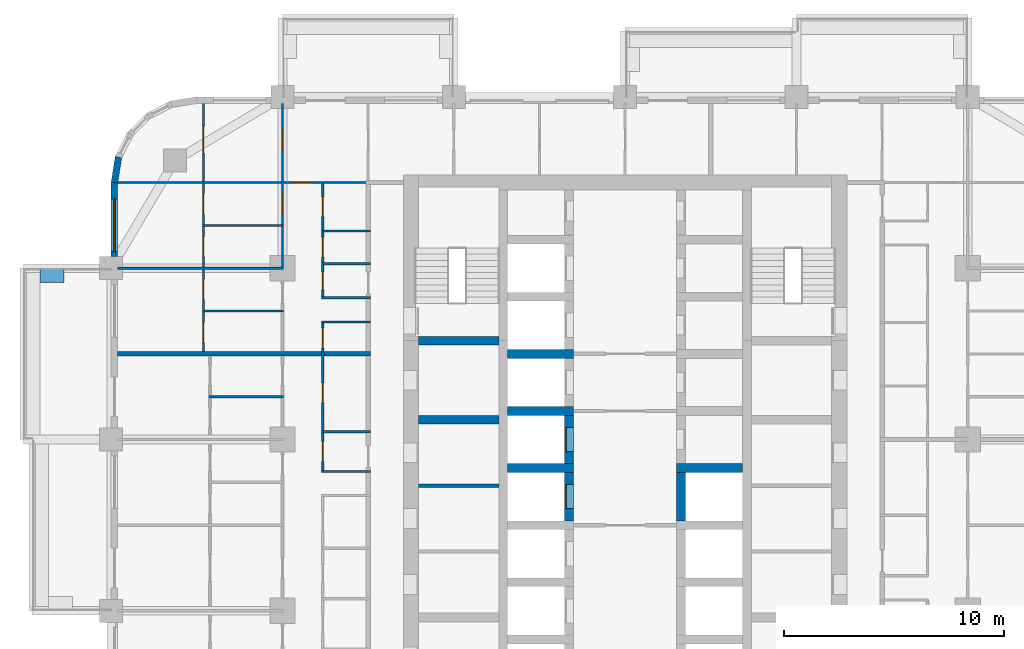
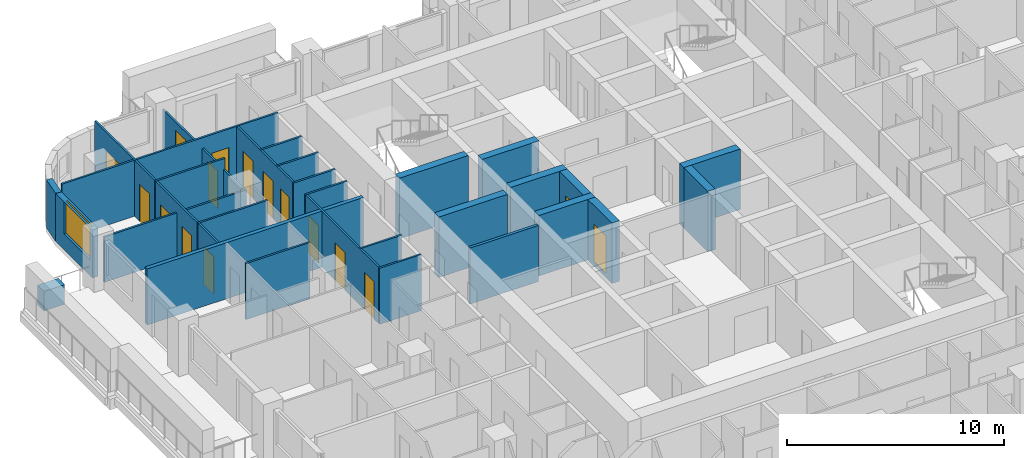
# One storey, part 10 of 18: 29 walls, 16 doors, 1 window, 17 openings.
"""IFC4 building model written with IfcOpenShell, lengths in metres."""

from ifc_helpers import new_model, si_unit, direction, frame, frame_2d, origin, place, context, subcontext, project, spatial, rectangle, extrude, material, layer, layer_set, type_object, element, fill, save


model = new_model("IFC4")

# Units and contexts
model_context = context("Model", 3, precision=1e-05, world=origin(), true_north=direction((0.0, 1.0)))
body_context = subcontext(model_context, "Body", "Model", "MODEL_VIEW")
ifc_project = project(units=[si_unit("LENGTHUNIT", "METRE"), si_unit("AREAUNIT", "SQUARE_METRE"), si_unit("VOLUMEUNIT", "CUBIC_METRE"), si_unit("PLANEANGLEUNIT", "RADIAN"), si_unit("MASSUNIT", "GRAM", prefix="KILO")], contexts=[model_context])

# Site, building, storey
site_placement = place(None, origin())
site = spatial("IfcSite", under=ifc_project, at=site_placement, CompositionType="ELEMENT")
building_placement = place(site_placement, origin())
building = spatial("IfcBuilding", under=site, at=building_placement, Name="Ludao Terraces", CompositionType="ELEMENT")
storey_placement = place(building_placement, frame((0.0, 0.0, 33.10009765625)))
storey = spatial("IfcBuildingStorey", under=building, at=storey_placement, Name="L08", CompositionType="ELEMENT", Elevation=33.10009765625)

# Wall
ifc_material_1 = material(Name="Concrete C40", Category="concrete")
ifc_layer_1 = layer(ifc_material_1, 0.60009765625)
ifc_layer_set_1 = layer_set([ifc_layer_1], Name="ENV Planter trough 600")
wall_type_1 = type_object("IfcWallType", Name="ENV Planter trough 600", PredefinedType="USERDEFINED", material=ifc_layer_set_1)
wall_1_placement = place(storey_placement, frame((58.35009765625, 80.25, 0.0), z_axis=(0.0, 0.0, 1.0), x_axis=(1.0, 0.0, 0.0)))
element("IfcWall", 1, at=wall_1_placement, inside=storey, type_object=wall_type_1, Name="PL-L08-W4-SB", ObjectType="PLANTER", PredefinedType="USERDEFINED", context=body_context, shape_type="SweptSolid", body=[
    extrude(rectangle(XDim=1.099853515625, YDim=0.60009765625, at=frame_2d((0.5498046875, 0.0))), origin(), (0.0, 0.0, 1.0), 1.099853515625),
])

# Wall, opening, window
ifc_material_2 = material(Name="Granite cladding", Category="masonry")
ifc_layer_2 = layer(ifc_material_2, 0.0400390625, Category="stone")
ifc_material_3 = material(Name="Mineral wool")
ifc_layer_3 = layer(ifc_material_3, 0.06005859375)
ifc_layer_4 = layer(ifc_material_1, 0.199951171875, Category="concrete")
ifc_layer_set_2 = layer_set([ifc_layer_2, ifc_layer_3, ifc_layer_4], Name="ENV Stone-clad wall 300")
wall_type_2 = type_object("IfcWallType", Name="ENV Stone-clad wall 300", PredefinedType="SOLIDWALL", material=ifc_layer_set_2)
wall_2_placement = place(storey_placement, frame((61.75, 81.125, 0.0), z_axis=(0.0, 0.0, 1.0), x_axis=(0.0, 1.0, 0.0)))
wall_2 = element("IfcWall", 2, at=wall_2_placement, inside=storey, type_object=wall_type_2, Name="EW-L08-W6", PredefinedType="SOLIDWALL", context=body_context, shape_type="SweptSolid", body=[
    extrude(rectangle(XDim=3.375, YDim=0.300048828125, at=frame_2d((1.6875, 0.0))), origin(), (0.0, 0.0, 1.0), 2.699951171875),
])
opening_1_placement = place(wall_2_placement, frame((0.22509765625, 0.0, 0.89990234375)))
opening_1 = element("IfcOpeningElement", 3, at=opening_1_placement, cuts=wall_2, Name="Opening W1", PredefinedType="OPENING", context=body_context, shape_type="SweptSolid", body=[
    extrude(rectangle(XDim=2.39990234375, YDim=1.800048828125, at=frame_2d((1.199951171875, 0.89990234375))), frame((0.0, 0.16015625, 0.0), z_axis=(0.0, -1.0, 0.0), x_axis=(1.0, 0.0, 0.0)), (0.0, 0.0, 1.0), 0.320068359375),
])
ifc_material_4 = material(Name="Clear glass in aluminium frame", Category="aluminium")
ifc_layer_5 = layer(ifc_material_4, 0.06005859375)
ifc_layer_set_3 = layer_set([ifc_layer_5], Name="ENV Window W1 2400x1800")
window_type = type_object("IfcWindowType", Name="ENV Window W1 2400x1800", PartitioningType="DOUBLE_PANEL_VERTICAL", PredefinedType="WINDOW", material=ifc_layer_set_3)
window_placement = place(opening_1_placement, origin())
window = element("IfcWindow", 4, at=window_placement, inside=storey, type_object=window_type, Name="W-L08-W6-1", OverallHeight=1.800048828125, OverallWidth=2.39990234375, PartitioningType="DOUBLE_PANEL_VERTICAL", PredefinedType="WINDOW", context=body_context, shape_type="SweptSolid", body=[
    extrude(rectangle(XDim=2.39990234375, YDim=1.800048828125, at=frame_2d((1.199951171875, 0.89990234375))), frame((0.0, 0.030029296875, 0.0), z_axis=(0.0, -1.0, 0.0), x_axis=(1.0, 0.0, 0.0)), (0.0, 0.0, 1.0), 0.06005859375),
])
fill(opening_1, window)

# Walls
wall_3_placement = place(storey_placement, frame((61.93359375, 85.65869140625, 0.0), z_axis=(0.0, 0.0, 1.0), x_axis=(-0.156496880861, -0.987678452879, 0.0)))
element("IfcWall", 5, at=wall_3_placement, inside=storey, type_object=wall_type_2, Name="EW-L08-NW5", PredefinedType="SOLIDWALL", context=body_context, shape_type="SweptSolid", body=[
    extrude(rectangle(XDim=1.173095703125, YDim=0.300048828125, at=frame_2d((0.58642578125, 0.0))), origin(), (0.0, 0.0, 1.0), 2.699951171875),
])
ifc_material_5 = material(Name="Fire-rated gypsum plasterboard", Category="gypsum")
ifc_layer_6 = layer(ifc_material_5, 0.012451171875, Category="gypsum")
ifc_layer_7 = layer(ifc_material_3, 0.10009765625, Name="insulation")
ifc_material_6 = material(Name="Steel Q235", Category="steel")
ifc_layer_8 = layer(ifc_material_6, 0.02490234375, Name="stud")
ifc_layer_9 = layer(ifc_material_5, 0.012451171875, Category="gypsum")
ifc_layer_set_4 = layer_set([ifc_layer_6, ifc_layer_7, ifc_layer_8, ifc_layer_9], Name="INT Core partition 150")
wall_type_3 = type_object("IfcWallType", Name="INT Core partition 150", PredefinedType="PARTITIONING", material=ifc_layer_set_4)
wall_4_placement = place(storey_placement, frame((75.60009765625, 70.699951171875, 0.0), z_axis=(0.0, 0.0, 1.0), x_axis=(1.0, 0.0, 0.0)))
element("IfcWall", 6, at=wall_4_placement, inside=storey, type_object=wall_type_3, Name="PW-L08-PW051", PredefinedType="PARTITIONING", context=body_context, shape_type="SweptSolid", body=[
    extrude(rectangle(XDim=3.64990234375, YDim=0.14990234375, at=frame_2d((1.824951171875, 0.0))), origin(), (0.0, 0.0, 1.0), 3.14990234375),
])
ifc_material_7 = material(Name="Gypsum plasterboard", Category="gypsum")
ifc_layer_10 = layer(ifc_material_7, 0.012451171875, Category="gypsum")
ifc_layer_11 = layer(ifc_material_3, 0.06005859375, Name="insulation")
ifc_layer_12 = layer(ifc_material_6, 0.014892578125, Name="stud")
ifc_layer_13 = layer(ifc_material_7, 0.012451171875, Category="gypsum")
ifc_layer_set_5 = layer_set([ifc_layer_10, ifc_layer_11, ifc_layer_12, ifc_layer_13], Name="INT Partition 100")
wall_type_4 = type_object("IfcWallType", Name="INT Partition 100", PredefinedType="PARTITIONING", material=ifc_layer_set_5)
for number, where, z_axis, x_axis, name in (
    (7, (71.18017578125, 71.35009765625, 0.0), (0.0, 0.0, 1.0), (1.0, 0.0, 0.0), "PW-L08-PW054"),
    (8, (71.18017578125, 73.14990234375, 0.0), (0.0, 0.0, 1.0), (1.0, 0.0, 0.0), "PW-L08-PW057"),
):
    element("IfcWall", number, at=place(storey_placement, frame(where, z_axis=z_axis, x_axis=x_axis)), inside=storey, type_object=wall_type_4, Name=name, PredefinedType="PARTITIONING", context=body_context, shape_type="SweptSolid", body=[
        extrude(rectangle(XDim=2.219970703125, YDim=0.10009765625, at=frame_2d((1.10986328125, 0.0))), origin(), (0.0, 0.0, 1.0), 3.14990234375),
    ])
wall_5_placement = place(storey_placement, frame((66.050048828125, 74.75, 0.0), z_axis=(0.0, 0.0, 1.0), x_axis=(1.0, 0.0, 0.0)))
element("IfcWall", 9, at=wall_5_placement, inside=storey, type_object=wall_type_4, Name="PW-L08-PW059", PredefinedType="PARTITIONING", context=body_context, shape_type="SweptSolid", body=[
    extrude(rectangle(XDim=3.400146484375, YDim=0.10009765625, at=frame_2d((1.7001953125, 0.0))), origin(), (0.0, 0.0, 1.0), 3.14990234375),
])
wall_6_placement = place(storey_placement, frame((71.18017578125, 78.14990234375, 0.0), z_axis=(0.0, 0.0, 1.0), x_axis=(1.0, 0.0, 0.0)))
element("IfcWall", 10, at=wall_6_placement, inside=storey, type_object=wall_type_4, Name="PW-L08-PW066", PredefinedType="PARTITIONING", context=body_context, shape_type="SweptSolid", body=[
    extrude(rectangle(XDim=2.219970703125, YDim=0.10009765625, at=frame_2d((1.10986328125, 0.0))), origin(), (0.0, 0.0, 1.0), 3.14990234375),
])
wall_7_placement = place(storey_placement, frame((65.75, 78.64990234375, 0.0), z_axis=(0.0, 0.0, 1.0), x_axis=(1.0, 0.0, 0.0)))
element("IfcWall", 11, at=wall_7_placement, inside=storey, type_object=wall_type_4, Name="PW-L08-PW067", PredefinedType="PARTITIONING", context=body_context, shape_type="SweptSolid", body=[
    extrude(rectangle(XDim=3.7001953125, YDim=0.10009765625, at=frame_2d((1.85009765625, 0.0))), origin(), (0.0, 0.0, 1.0), 3.14990234375),
])
wall_8_placement = place(storey_placement, frame((71.18017578125, 79.25, 0.0), z_axis=(0.0, 0.0, 1.0), x_axis=(1.0, 0.0, 0.0)))
element("IfcWall", 12, at=wall_8_placement, inside=storey, type_object=wall_type_4, Name="PW-L08-PW069", PredefinedType="PARTITIONING", context=body_context, shape_type="SweptSolid", body=[
    extrude(rectangle(XDim=2.219970703125, YDim=0.10009765625, at=frame_2d((1.10986328125, 0.0))), origin(), (0.0, 0.0, 1.0), 3.14990234375),
])
wall_9_placement = place(storey_placement, frame((61.900146484375, 80.60009765625, 0.0), z_axis=(0.0, 0.0, 1.0), x_axis=(1.0, 0.0, 0.0)))
element("IfcWall", 13, at=wall_9_placement, inside=storey, type_object=wall_type_4, Name="PW-L08-PW070", PredefinedType="PARTITIONING", context=body_context, shape_type="SweptSolid", body=[
    extrude(rectangle(XDim=7.550048828125, YDim=0.10009765625, at=frame_2d((3.77490234375, 0.0))), origin(), (0.0, 0.0, 1.0), 2.5498046875),
])
for number, where, z_axis, x_axis, name in (
    (14, (71.18017578125, 80.800048828125, 0.0), (0.0, 0.0, 1.0), (1.0, 0.0, 0.0), "PW-L08-PW072"),
    (15, (71.18017578125, 82.300048828125, 0.0), (0.0, 0.0, 1.0), (1.0, 0.0, 0.0), "PW-L08-PW074"),
):
    element("IfcWall", number, at=place(storey_placement, frame(where, z_axis=z_axis, x_axis=x_axis)), inside=storey, type_object=wall_type_4, Name=name, PredefinedType="PARTITIONING", context=body_context, shape_type="SweptSolid", body=[
        extrude(rectangle(XDim=2.219970703125, YDim=0.10009765625, at=frame_2d((1.10986328125, 0.0))), origin(), (0.0, 0.0, 1.0), 3.14990234375),
    ])
wall_10_placement = place(storey_placement, frame((65.75, 82.550048828125, 0.0), z_axis=(0.0, 0.0, 1.0), x_axis=(1.0, 0.0, 0.0)))
element("IfcWall", 16, at=wall_10_placement, inside=storey, type_object=wall_type_4, Name="PW-L08-PW075", PredefinedType="PARTITIONING", context=body_context, shape_type="SweptSolid", body=[
    extrude(rectangle(XDim=3.7001953125, YDim=0.10009765625, at=frame_2d((1.85009765625, 0.0))), origin(), (0.0, 0.0, 1.0), 3.14990234375),
])

# Wall, opening, door
wall_11_placement = place(storey_placement, frame((61.900146484375, 84.5, 0.0), z_axis=(0.0, 0.0, 1.0), x_axis=(1.0, 0.0, 0.0)))
wall_11 = element("IfcWall", 17, at=wall_11_placement, inside=storey, type_object=wall_type_4, Name="PW-L08-PW077", PredefinedType="PARTITIONING", context=body_context, shape_type="SweptSolid", body=[
    extrude(rectangle(XDim=11.5, YDim=0.10009765625, at=frame_2d((5.75, 0.0))), origin(), (0.0, 0.0, 1.0), 3.14990234375),
])
opening_2_placement = place(wall_11_placement, frame((7.965087890625, 0.0, 0.0)))
opening_2 = element("IfcOpeningElement", 18, at=opening_2_placement, cuts=wall_11, Name="Opening R02-155", PredefinedType="OPENING", context=body_context, shape_type="SweptSolid", body=[
    extrude(rectangle(XDim=0.89990234375, YDim=2.10009765625, at=frame_2d((0.449951171875, 1.050048828125))), frame((0.0, 0.06005859375, 0.0), z_axis=(0.0, -1.0, 0.0), x_axis=(1.0, 0.0, 0.0)), (0.0, 0.0, 1.0), 0.1201171875),
])
ifc_material_8 = material(Name="Timber door leaf", Category="wood")
door_type_1 = type_object("IfcDoorType", Name="INT Room door 900", OperationType="SINGLE_SWING_LEFT", PredefinedType="DOOR", material=ifc_material_8)
door_1_placement = place(opening_2_placement, origin())
door_1 = element("IfcDoor", 19, at=door_1_placement, inside=storey, type_object=door_type_1, Name="DOOR 155", OperationType="SINGLE_SWING_RIGHT", OverallHeight=2.10009765625, OverallWidth=0.89990234375, PredefinedType="DOOR", context=body_context, shape_type="SweptSolid", body=[
    extrude(rectangle(XDim=0.89990234375, YDim=2.10009765625, at=frame_2d((0.449951171875, 1.050048828125))), frame((0.0, 0.02490234375, 0.0), z_axis=(0.0, -1.0, 0.0), x_axis=(1.0, 0.0, 0.0)), (0.0, 0.0, 1.0), 0.050048828125),
])
fill(opening_2, door_1)

# Wall, openings, doors
wall_12_placement = place(storey_placement, frame((65.800048828125, 76.800048828125, 0.0), z_axis=(0.0, 0.0, 1.0), x_axis=(0.0, 1.0, 0.0)))
wall_12 = element("IfcWall", 20, at=wall_12_placement, inside=storey, type_object=wall_type_4, Name="PW-L08-PW081", PredefinedType="PARTITIONING", context=body_context, shape_type="SweptSolid", body=[
    extrude(rectangle(XDim=11.300048828125, YDim=0.10009765625, at=frame_2d((5.64990234375, 0.0))), origin(), (0.0, 0.0, 1.0), 3.14990234375),
])
opening_3_placement = place(wall_12_placement, frame((0.425048828125, 0.0, 0.0)))
opening_3 = element("IfcOpeningElement", 21, at=opening_3_placement, cuts=wall_12, Name="Opening R02-129", PredefinedType="OPENING", context=body_context, shape_type="SweptSolid", body=[
    extrude(rectangle(XDim=0.89990234375, YDim=2.10009765625, at=frame_2d((0.449951171875, 1.050048828125))), frame((0.0, 0.06005859375, 0.0), z_axis=(0.0, -1.0, 0.0), x_axis=(1.0, 0.0, 0.0)), (0.0, 0.0, 1.0), 0.1201171875),
])
opening_4_placement = place(wall_12_placement, frame((2.375, 0.0, 0.0)))
opening_4 = element("IfcOpeningElement", 22, at=opening_4_placement, cuts=wall_12, Name="Opening R02-137", PredefinedType="OPENING", context=body_context, shape_type="SweptSolid", body=[
    extrude(rectangle(XDim=0.89990234375, YDim=2.10009765625, at=frame_2d((0.449951171875, 1.050048828125))), frame((0.0, 0.06005859375, 0.0), z_axis=(0.0, -1.0, 0.0), x_axis=(1.0, 0.0, 0.0)), (0.0, 0.0, 1.0), 0.1201171875),
])
opening_5_placement = place(wall_12_placement, frame((4.324951171875, 0.0, 0.0)))
opening_5 = element("IfcOpeningElement", 23, at=opening_5_placement, cuts=wall_12, Name="Opening R02-145", PredefinedType="OPENING", context=body_context, shape_type="SweptSolid", body=[
    extrude(rectangle(XDim=0.89990234375, YDim=2.10009765625, at=frame_2d((0.449951171875, 1.050048828125))), frame((0.0, 0.06005859375, 0.0), z_axis=(0.0, -1.0, 0.0), x_axis=(1.0, 0.0, 0.0)), (0.0, 0.0, 1.0), 0.1201171875),
])
opening_6_placement = place(wall_12_placement, frame((6.27490234375, 0.0, 0.0)))
opening_6 = element("IfcOpeningElement", 24, at=opening_6_placement, cuts=wall_12, Name="Opening R02-152", PredefinedType="OPENING", context=body_context, shape_type="SweptSolid", body=[
    extrude(rectangle(XDim=0.89990234375, YDim=2.10009765625, at=frame_2d((0.449951171875, 1.050048828125))), frame((0.0, 0.06005859375, 0.0), z_axis=(0.0, -1.0, 0.0), x_axis=(1.0, 0.0, 0.0)), (0.0, 0.0, 1.0), 0.1201171875),
])
opening_7_placement = place(wall_12_placement, frame((9.050048828125, 0.0, 0.0)))
opening_7 = element("IfcOpeningElement", 25, at=opening_7_placement, cuts=wall_12, Name="Opening R02-157", PredefinedType="OPENING", context=body_context, shape_type="SweptSolid", body=[
    extrude(rectangle(XDim=1.199951171875, YDim=2.10009765625, at=frame_2d((0.60009765625, 1.050048828125))), frame((0.0, 0.06005859375, 0.0), z_axis=(0.0, -1.0, 0.0), x_axis=(1.0, 0.0, 0.0)), (0.0, 0.0, 1.0), 0.1201171875),
])
door_type_2 = type_object("IfcDoorType", Name="INT Bathroom door 900", OperationType="SINGLE_SWING_LEFT", PredefinedType="DOOR", material=ifc_material_8)
door_2_placement = place(opening_3_placement, origin())
door_2 = element("IfcDoor", 26, at=door_2_placement, inside=storey, type_object=door_type_2, Name="DOOR 129", OperationType="SINGLE_SWING_RIGHT", OverallHeight=2.10009765625, OverallWidth=0.89990234375, PredefinedType="DOOR", context=body_context, shape_type="SweptSolid", body=[
    extrude(rectangle(XDim=0.89990234375, YDim=2.10009765625, at=frame_2d((0.449951171875, 1.050048828125))), frame((0.0, 0.02490234375, 0.0), z_axis=(0.0, -1.0, 0.0), x_axis=(1.0, 0.0, 0.0)), (0.0, 0.0, 1.0), 0.050048828125),
])
fill(opening_3, door_2)
door_3_placement = place(opening_5_placement, origin())
door_3 = element("IfcDoor", 27, at=door_3_placement, inside=storey, type_object=door_type_2, Name="DOOR 145", OperationType="SINGLE_SWING_RIGHT", OverallHeight=2.10009765625, OverallWidth=0.89990234375, PredefinedType="DOOR", context=body_context, shape_type="SweptSolid", body=[
    extrude(rectangle(XDim=0.89990234375, YDim=2.10009765625, at=frame_2d((0.449951171875, 1.050048828125))), frame((0.0, 0.02490234375, 0.0), z_axis=(0.0, -1.0, 0.0), x_axis=(1.0, 0.0, 0.0)), (0.0, 0.0, 1.0), 0.050048828125),
])
fill(opening_5, door_3)
door_type_3 = type_object("IfcDoorType", Name="INT Double door 1200", OperationType="DOUBLE_DOOR_SINGLE_SWING", PredefinedType="DOOR", material=ifc_material_8)
door_4_placement = place(opening_7_placement, origin())
door_4 = element("IfcDoor", 28, at=door_4_placement, inside=storey, type_object=door_type_3, Name="DOOR 157", OperationType="DOUBLE_DOOR_SINGLE_SWING", OverallHeight=2.10009765625, OverallWidth=1.199951171875, PredefinedType="DOOR", context=body_context, shape_type="SweptSolid", body=[
    extrude(rectangle(XDim=1.199951171875, YDim=2.10009765625, at=frame_2d((0.60009765625, 1.050048828125))), frame((0.0, 0.02490234375, 0.0), z_axis=(0.0, -1.0, 0.0), x_axis=(1.0, 0.0, 0.0)), (0.0, 0.0, 1.0), 0.050048828125),
])
fill(opening_7, door_4)
door_5_placement = place(opening_4_placement, origin())
door_5 = element("IfcDoor", 29, at=door_5_placement, inside=storey, type_object=door_type_1, Name="DOOR 137", OperationType="SINGLE_SWING_RIGHT", OverallHeight=2.10009765625, OverallWidth=0.89990234375, PredefinedType="DOOR", context=body_context, shape_type="SweptSolid", body=[
    extrude(rectangle(XDim=0.89990234375, YDim=2.10009765625, at=frame_2d((0.449951171875, 1.050048828125))), frame((0.0, 0.02490234375, 0.0), z_axis=(0.0, -1.0, 0.0), x_axis=(1.0, 0.0, 0.0)), (0.0, 0.0, 1.0), 0.050048828125),
])
fill(opening_4, door_5)
door_6_placement = place(opening_6_placement, origin())
door_6 = element("IfcDoor", 30, at=door_6_placement, inside=storey, type_object=door_type_1, Name="DOOR 152", OperationType="SINGLE_SWING_RIGHT", OverallHeight=2.10009765625, OverallWidth=0.89990234375, PredefinedType="DOOR", context=body_context, shape_type="SweptSolid", body=[
    extrude(rectangle(XDim=0.89990234375, YDim=2.10009765625, at=frame_2d((0.449951171875, 1.050048828125))), frame((0.0, 0.02490234375, 0.0), z_axis=(0.0, -1.0, 0.0), x_axis=(1.0, 0.0, 0.0)), (0.0, 0.0, 1.0), 0.050048828125),
])
fill(opening_6, door_6)

wall_13_placement = place(storey_placement, frame((69.39990234375, 80.60009765625, 0.0), z_axis=(0.0, 0.0, 1.0), x_axis=(0.0, 1.0, 0.0)))
wall_13 = element("IfcWall", 31, at=wall_13_placement, inside=storey, type_object=wall_type_4, Name="PW-L08-PW083-3", PredefinedType="PARTITIONING", context=body_context, shape_type="SweptSolid", body=[
    extrude(rectangle(XDim=7.5, YDim=0.10009765625, at=frame_2d((3.75, 0.0))), origin(), (0.0, 0.0, 1.0), 2.5498046875),
])
opening_8_placement = place(wall_13_placement, frame((2.47509765625, 0.0, 0.0)))
opening_8 = element("IfcOpeningElement", 32, at=opening_8_placement, cuts=wall_13, Name="Opening R02-153", PredefinedType="OPENING", context=body_context, shape_type="SweptSolid", body=[
    extrude(rectangle(XDim=0.89990234375, YDim=2.10009765625, at=frame_2d((0.449951171875, 1.050048828125))), frame((0.0, 0.06005859375, 0.0), z_axis=(0.0, -1.0, 0.0), x_axis=(1.0, 0.0, 0.0)), (0.0, 0.0, 1.0), 0.1201171875),
])
opening_9_placement = place(wall_13_placement, frame((5.39990234375, 0.0, 0.0)))
opening_9 = element("IfcOpeningElement", 33, at=opening_9_placement, cuts=wall_13, Name="Opening R02-158", PredefinedType="OPENING", context=body_context, shape_type="SweptSolid", body=[
    extrude(rectangle(XDim=0.89990234375, YDim=2.10009765625, at=frame_2d((0.449951171875, 1.050048828125))), frame((0.0, 0.06005859375, 0.0), z_axis=(0.0, -1.0, 0.0), x_axis=(1.0, 0.0, 0.0)), (0.0, 0.0, 1.0), 0.1201171875),
])
door_7_placement = place(opening_8_placement, origin())
door_7 = element("IfcDoor", 34, at=door_7_placement, inside=storey, type_object=door_type_1, Name="DOOR 153", OperationType="SINGLE_SWING_LEFT", OverallHeight=2.10009765625, OverallWidth=0.89990234375, PredefinedType="DOOR", context=body_context, shape_type="SweptSolid", body=[
    extrude(rectangle(XDim=0.89990234375, YDim=2.10009765625, at=frame_2d((0.449951171875, 1.050048828125))), frame((0.0, 0.02490234375, 0.0), z_axis=(0.0, -1.0, 0.0), x_axis=(1.0, 0.0, 0.0)), (0.0, 0.0, 1.0), 0.050048828125),
])
fill(opening_8, door_7)
door_8_placement = place(opening_9_placement, origin())
door_8 = element("IfcDoor", 35, at=door_8_placement, inside=storey, type_object=door_type_1, Name="DOOR 158", OperationType="SINGLE_SWING_RIGHT", OverallHeight=2.10009765625, OverallWidth=0.89990234375, PredefinedType="DOOR", context=body_context, shape_type="SweptSolid", body=[
    extrude(rectangle(XDim=0.89990234375, YDim=2.10009765625, at=frame_2d((0.449951171875, 1.050048828125))), frame((0.0, 0.02490234375, 0.0), z_axis=(0.0, -1.0, 0.0), x_axis=(1.0, 0.0, 0.0)), (0.0, 0.0, 1.0), 0.050048828125),
])
fill(opening_9, door_8)

wall_14_placement = place(storey_placement, frame((71.22998046875, 71.400146484375, 0.0), z_axis=(0.0, 0.0, 1.0), x_axis=(0.0, 1.0, 0.0)))
wall_14 = element("IfcWall", 36, at=wall_14_placement, inside=storey, type_object=wall_type_4, Name="PW-L08-PW086", PredefinedType="PARTITIONING", context=body_context, shape_type="SweptSolid", body=[
    extrude(rectangle(XDim=6.699951171875, YDim=0.10009765625, at=frame_2d((3.35009765625, 0.0))), origin(), (0.0, 0.0, 1.0), 3.14990234375),
])
opening_10_placement = place(wall_14_placement, frame((0.39990234375, 0.0, 0.0)))
opening_10 = element("IfcOpeningElement", 37, at=opening_10_placement, cuts=wall_14, Name="Opening R02-110", PredefinedType="OPENING", context=body_context, shape_type="SweptSolid", body=[
    extrude(rectangle(XDim=0.89990234375, YDim=2.10009765625, at=frame_2d((0.449951171875, 1.050048828125))), frame((0.0, 0.06005859375, 0.0), z_axis=(0.0, -1.0, 0.0), x_axis=(1.0, 0.0, 0.0)), (0.0, 0.0, 1.0), 0.1201171875),
])
opening_11_placement = place(wall_14_placement, frame((3.074951171875, 0.0, 0.0)))
opening_11 = element("IfcOpeningElement", 38, at=opening_11_placement, cuts=wall_14, Name="Opening R02-117", PredefinedType="OPENING", context=body_context, shape_type="SweptSolid", body=[
    extrude(rectangle(XDim=0.89990234375, YDim=2.10009765625, at=frame_2d((0.449951171875, 1.050048828125))), frame((0.0, 0.06005859375, 0.0), z_axis=(0.0, -1.0, 0.0), x_axis=(1.0, 0.0, 0.0)), (0.0, 0.0, 1.0), 0.1201171875),
])
opening_12_placement = place(wall_14_placement, frame((5.574951171875, 0.0, 0.0)))
opening_12 = element("IfcOpeningElement", 39, at=opening_12_placement, cuts=wall_14, Name="Opening R02-128", PredefinedType="OPENING", context=body_context, shape_type="SweptSolid", body=[
    extrude(rectangle(XDim=0.89990234375, YDim=2.10009765625, at=frame_2d((0.449951171875, 1.050048828125))), frame((0.0, 0.06005859375, 0.0), z_axis=(0.0, -1.0, 0.0), x_axis=(1.0, 0.0, 0.0)), (0.0, 0.0, 1.0), 0.1201171875),
])
door_9_placement = place(opening_10_placement, origin())
door_9 = element("IfcDoor", 40, at=door_9_placement, inside=storey, type_object=door_type_2, Name="DOOR 110", OperationType="SINGLE_SWING_RIGHT", OverallHeight=2.10009765625, OverallWidth=0.89990234375, PredefinedType="DOOR", context=body_context, shape_type="SweptSolid", body=[
    extrude(rectangle(XDim=0.89990234375, YDim=2.10009765625, at=frame_2d((0.449951171875, 1.050048828125))), frame((0.0, 0.02490234375, 0.0), z_axis=(0.0, -1.0, 0.0), x_axis=(1.0, 0.0, 0.0)), (0.0, 0.0, 1.0), 0.050048828125),
])
fill(opening_10, door_9)
door_10_placement = place(opening_12_placement, origin())
door_10 = element("IfcDoor", 41, at=door_10_placement, inside=storey, type_object=door_type_2, Name="DOOR 128", OperationType="SINGLE_SWING_RIGHT", OverallHeight=2.10009765625, OverallWidth=0.89990234375, PredefinedType="DOOR", context=body_context, shape_type="SweptSolid", body=[
    extrude(rectangle(XDim=0.89990234375, YDim=2.10009765625, at=frame_2d((0.449951171875, 1.050048828125))), frame((0.0, 0.02490234375, 0.0), z_axis=(0.0, -1.0, 0.0), x_axis=(1.0, 0.0, 0.0)), (0.0, 0.0, 1.0), 0.050048828125),
])
fill(opening_12, door_10)
door_11_placement = place(opening_11_placement, origin())
door_11 = element("IfcDoor", 42, at=door_11_placement, inside=storey, type_object=door_type_1, Name="DOOR 117", OperationType="SINGLE_SWING_RIGHT", OverallHeight=2.10009765625, OverallWidth=0.89990234375, PredefinedType="DOOR", context=body_context, shape_type="SweptSolid", body=[
    extrude(rectangle(XDim=0.89990234375, YDim=2.10009765625, at=frame_2d((0.449951171875, 1.050048828125))), frame((0.0, 0.02490234375, 0.0), z_axis=(0.0, -1.0, 0.0), x_axis=(1.0, 0.0, 0.0)), (0.0, 0.0, 1.0), 0.050048828125),
])
fill(opening_11, door_11)

wall_15_placement = place(storey_placement, frame((71.22998046875, 79.300048828125, 0.0), z_axis=(0.0, 0.0, 1.0), x_axis=(0.0, 1.0, 0.0)))
wall_15 = element("IfcWall", 43, at=wall_15_placement, inside=storey, type_object=wall_type_4, Name="PW-L08-PW087", PredefinedType="PARTITIONING", context=body_context, shape_type="SweptSolid", body=[
    extrude(rectangle(XDim=5.150146484375, YDim=0.10009765625, at=frame_2d((2.5751953125, 0.0))), origin(), (0.0, 0.0, 1.0), 3.14990234375),
])
opening_13_placement = place(wall_15_placement, frame((0.324951171875, 0.0, 0.0)))
opening_13 = element("IfcOpeningElement", 44, at=opening_13_placement, cuts=wall_15, Name="Opening R02-141", PredefinedType="OPENING", context=body_context, shape_type="SweptSolid", body=[
    extrude(rectangle(XDim=0.800048828125, YDim=2.10009765625, at=frame_2d((0.39990234375, 1.050048828125))), frame((0.0, 0.06005859375, 0.0), z_axis=(0.0, -1.0, 0.0), x_axis=(1.0, 0.0, 0.0)), (0.0, 0.0, 1.0), 0.1201171875),
])
opening_14_placement = place(wall_15_placement, frame((1.800048828125, 0.0, 0.0)))
opening_14 = element("IfcOpeningElement", 45, at=opening_14_placement, cuts=wall_15, Name="Opening R02-144", PredefinedType="OPENING", context=body_context, shape_type="SweptSolid", body=[
    extrude(rectangle(XDim=0.89990234375, YDim=2.10009765625, at=frame_2d((0.449951171875, 1.050048828125))), frame((0.0, 0.06005859375, 0.0), z_axis=(0.0, -1.0, 0.0), x_axis=(1.0, 0.0, 0.0)), (0.0, 0.0, 1.0), 0.1201171875),
])
opening_15_placement = place(wall_15_placement, frame((3.64990234375, 0.0, 0.0)))
opening_15 = element("IfcOpeningElement", 46, at=opening_15_placement, cuts=wall_15, Name="Opening R02-150", PredefinedType="OPENING", context=body_context, shape_type="SweptSolid", body=[
    extrude(rectangle(XDim=0.89990234375, YDim=2.10009765625, at=frame_2d((0.449951171875, 1.050048828125))), frame((0.0, 0.06005859375, 0.0), z_axis=(0.0, -1.0, 0.0), x_axis=(1.0, 0.0, 0.0)), (0.0, 0.0, 1.0), 0.1201171875),
])
door_12_placement = place(opening_14_placement, origin())
door_12 = element("IfcDoor", 47, at=door_12_placement, inside=storey, type_object=door_type_2, Name="DOOR 144", OperationType="SINGLE_SWING_RIGHT", OverallHeight=2.10009765625, OverallWidth=0.89990234375, PredefinedType="DOOR", context=body_context, shape_type="SweptSolid", body=[
    extrude(rectangle(XDim=0.89990234375, YDim=2.10009765625, at=frame_2d((0.449951171875, 1.050048828125))), frame((0.0, 0.02490234375, 0.0), z_axis=(0.0, -1.0, 0.0), x_axis=(1.0, 0.0, 0.0)), (0.0, 0.0, 1.0), 0.050048828125),
])
fill(opening_14, door_12)
door_13_placement = place(opening_15_placement, origin())
door_13 = element("IfcDoor", 48, at=door_13_placement, inside=storey, type_object=door_type_1, Name="DOOR 150", OperationType="SINGLE_SWING_RIGHT", OverallHeight=2.10009765625, OverallWidth=0.89990234375, PredefinedType="DOOR", context=body_context, shape_type="SweptSolid", body=[
    extrude(rectangle(XDim=0.89990234375, YDim=2.10009765625, at=frame_2d((0.449951171875, 1.050048828125))), frame((0.0, 0.02490234375, 0.0), z_axis=(0.0, -1.0, 0.0), x_axis=(1.0, 0.0, 0.0)), (0.0, 0.0, 1.0), 0.050048828125),
])
fill(opening_15, door_13)
door_type_4 = type_object("IfcDoorType", Name="INT Store door 800", OperationType="SINGLE_SWING_LEFT", PredefinedType="DOOR", material=ifc_material_8)
door_14_placement = place(opening_13_placement, origin())
door_14 = element("IfcDoor", 49, at=door_14_placement, inside=storey, type_object=door_type_4, Name="DOOR 141", OperationType="SINGLE_SWING_LEFT", OverallHeight=2.10009765625, OverallWidth=0.800048828125, PredefinedType="DOOR", context=body_context, shape_type="SweptSolid", body=[
    extrude(rectangle(XDim=0.800048828125, YDim=2.10009765625, at=frame_2d((0.39990234375, 1.050048828125))), frame((0.0, 0.02490234375, 0.0), z_axis=(0.0, -1.0, 0.0), x_axis=(1.0, 0.0, 0.0)), (0.0, 0.0, 1.0), 0.050048828125),
])
fill(opening_13, door_14)

# Wall
ifc_material_9 = material(Name="Autoclaved aerated concrete block B06 A3.5", Category="concrete")
ifc_layer_14 = layer(ifc_material_9, 0.199951171875)
ifc_layer_set_6 = layer_set([ifc_layer_14], Name="INT Party wall 200")
wall_type_5 = type_object("IfcWallType", Name="INT Party wall 200", PredefinedType="PARTITIONING", material=ifc_layer_set_6)
wall_16_placement = place(storey_placement, frame((61.900146484375, 76.699951171875, 0.0), z_axis=(0.0, 0.0, 1.0), x_axis=(1.0, 0.0, 0.0)))
element("IfcWall", 50, at=wall_16_placement, inside=storey, type_object=wall_type_5, Name="PW-L08-PW062", PredefinedType="PARTITIONING", context=body_context, shape_type="SweptSolid", body=[
    extrude(rectangle(XDim=11.5, YDim=0.199951171875, at=frame_2d((5.75, 0.0))), origin(), (0.0, 0.0, 1.0), 3.14990234375),
])

# Wall, opening, door
ifc_material_10 = material(Name="Concrete C60", Category="concrete")
ifc_layer_15 = layer(ifc_material_10, 0.39990234375)
ifc_layer_set_7 = layer_set([ifc_layer_15], Name="Shaft wall 400 C60")
wall_type_6 = type_object("IfcWallType", Name="Shaft wall 400 C60", PredefinedType="SOLIDWALL", material=ifc_layer_set_7)
wall_17_placement = place(storey_placement, frame((82.449951171875, 69.10009765625, -0.25), z_axis=(0.0, 0.0, 1.0), x_axis=(0.0, 1.0, 0.0)))
wall_17 = element("IfcWall", 51, at=wall_17_placement, inside=storey, type_object=wall_type_6, Name="Core wall L08 front-W4", PredefinedType="SOLIDWALL", context=body_context, shape_type="SweptSolid", body=[
    extrude(rectangle(XDim=2.199951171875, YDim=0.39990234375, at=frame_2d((1.10009765625, 0.0))), origin(), (0.0, 0.0, 1.0), 3.39990234375),
])
opening_16_placement = place(wall_17_placement, frame((0.550048828125, 0.0, 0.25)))
opening_16 = element("IfcOpeningElement", 52, at=opening_16_placement, cuts=wall_17, Name="Opening LD-LA4", PredefinedType="OPENING", context=body_context, shape_type="SweptSolid", body=[
    extrude(rectangle(XDim=1.10009765625, YDim=2.10009765625, at=frame_2d((0.550048828125, 1.050048828125))), frame((0.0, 0.2099609375, 0.0), z_axis=(0.0, -1.0, 0.0), x_axis=(1.0, 0.0, 0.0)), (0.0, 0.0, 1.0), 0.419921875),
])
ifc_material_11 = material(Name="Stainless steel 304", Category="steel")
door_type_5 = type_object("IfcDoorType", Name="INT Lift landing door 1100", OperationType="SLIDING_TO_LEFT", PredefinedType="DOOR", material=ifc_material_11)
door_15_placement = place(opening_16_placement, origin())
door_15 = element("IfcDoor", 53, at=door_15_placement, inside=storey, type_object=door_type_5, Name="LANDING DOOR LA4 L08", OperationType="SLIDING_TO_LEFT", OverallHeight=2.10009765625, OverallWidth=1.10009765625, PredefinedType="DOOR", context=body_context, shape_type="SweptSolid", body=[
    extrude(rectangle(XDim=1.10009765625, YDim=2.10009765625, at=frame_2d((0.550048828125, 1.050048828125))), frame((0.0, 0.18505859375, 0.0), z_axis=(0.0, -1.0, 0.0), x_axis=(1.0, 0.0, 0.0)), (0.0, 0.0, 1.0), 0.050048828125),
])
fill(opening_16, door_15)

# Wall
wall_18_placement = place(storey_placement, frame((79.64990234375, 71.5, -0.25), z_axis=(0.0, 0.0, 1.0), x_axis=(1.0, 0.0, 0.0)))
element("IfcWall", 54, at=wall_18_placement, inside=storey, type_object=wall_type_6, Name="Core wall L08 div-W5", PredefinedType="SOLIDWALL", context=body_context, shape_type="SweptSolid", body=[
    extrude(rectangle(XDim=3.0, YDim=0.39990234375, at=frame_2d((1.5, 0.0))), origin(), (0.0, 0.0, 1.0), 3.39990234375),
])

# Wall, opening, door
wall_19_placement = place(storey_placement, frame((82.449951171875, 71.699951171875, -0.25), z_axis=(0.0, 0.0, 1.0), x_axis=(0.0, 1.0, 0.0)))
wall_19 = element("IfcWall", 55, at=wall_19_placement, inside=storey, type_object=wall_type_6, Name="Core wall L08 front-W5", PredefinedType="SOLIDWALL", context=body_context, shape_type="SweptSolid", body=[
    extrude(rectangle(XDim=2.199951171875, YDim=0.39990234375, at=frame_2d((1.10009765625, 0.0))), origin(), (0.0, 0.0, 1.0), 3.39990234375),
])
opening_17_placement = place(wall_19_placement, frame((0.550048828125, 0.0, 0.25)))
opening_17 = element("IfcOpeningElement", 56, at=opening_17_placement, cuts=wall_19, Name="Opening LD-LA5", PredefinedType="OPENING", context=body_context, shape_type="SweptSolid", body=[
    extrude(rectangle(XDim=1.10009765625, YDim=2.10009765625, at=frame_2d((0.550048828125, 1.050048828125))), frame((0.0, 0.2099609375, 0.0), z_axis=(0.0, -1.0, 0.0), x_axis=(1.0, 0.0, 0.0)), (0.0, 0.0, 1.0), 0.419921875),
])
door_16_placement = place(opening_17_placement, origin())
door_16 = element("IfcDoor", 57, at=door_16_placement, inside=storey, type_object=door_type_5, Name="LANDING DOOR LA5 L08", OperationType="SLIDING_TO_LEFT", OverallHeight=2.10009765625, OverallWidth=1.10009765625, PredefinedType="DOOR", context=body_context, shape_type="SweptSolid", body=[
    extrude(rectangle(XDim=1.10009765625, YDim=2.10009765625, at=frame_2d((0.550048828125, 1.050048828125))), frame((0.0, 0.18505859375, 0.0), z_axis=(0.0, -1.0, 0.0), x_axis=(1.0, 0.0, 0.0)), (0.0, 0.0, 1.0), 0.050048828125),
])
fill(opening_17, door_16)

# Walls
for number, where, z_axis, x_axis, name in (
    (58, (79.64990234375, 74.10009765625, -0.25), (0.0, 0.0, 1.0), (1.0, 0.0, 0.0), "Core wall L08 div-W6"),
    (59, (79.64990234375, 76.699951171875, -0.25), (0.0, 0.0, 1.0), (1.0, 0.0, 0.0), "Core wall L08 div-W7"),
):
    element("IfcWall", number, at=place(storey_placement, frame(where, z_axis=z_axis, x_axis=x_axis)), inside=storey, type_object=wall_type_6, Name=name, PredefinedType="SOLIDWALL", context=body_context, shape_type="SweptSolid", body=[
        extrude(rectangle(XDim=3.0, YDim=0.39990234375, at=frame_2d((1.5, 0.0))), origin(), (0.0, 0.0, 1.0), 3.39990234375),
    ])
wall_20_placement = place(storey_placement, frame((87.550048828125, 69.10009765625, -0.25), z_axis=(0.0, 0.0, 1.0), x_axis=(0.0, 1.0, 0.0)))
element("IfcWall", 60, at=wall_20_placement, inside=storey, type_object=wall_type_6, Name="Core wall L08 front-E4", PredefinedType="SOLIDWALL", context=body_context, shape_type="SweptSolid", body=[
    extrude(rectangle(XDim=2.199951171875, YDim=0.39990234375, at=frame_2d((1.10009765625, 0.0))), origin(), (0.0, 0.0, 1.0), 3.39990234375),
])
wall_21_placement = place(storey_placement, frame((87.35009765625, 71.5, -0.25), z_axis=(0.0, 0.0, 1.0), x_axis=(1.0, 0.0, 0.0)))
element("IfcWall", 61, at=wall_21_placement, inside=storey, type_object=wall_type_6, Name="Core wall L08 div-E5", PredefinedType="SOLIDWALL", context=body_context, shape_type="SweptSolid", body=[
    extrude(rectangle(XDim=3.0, YDim=0.39990234375, at=frame_2d((1.5, 0.0))), origin(), (0.0, 0.0, 1.0), 3.39990234375),
])
for number, where, z_axis, x_axis, name in (
    (62, (75.60009765625, 73.699951171875, -0.25), (0.0, 0.0, 1.0), (1.0, 0.0, 0.0), "Core wall L08 riser-b-W"),
    (63, (75.60009765625, 77.300048828125, -0.25), (0.0, 0.0, 1.0), (1.0, 0.0, 0.0), "Core wall L08 stair-W"),
):
    element("IfcWall", number, at=place(storey_placement, frame(where, z_axis=z_axis, x_axis=x_axis)), inside=storey, type_object=wall_type_6, Name=name, PredefinedType="SOLIDWALL", context=body_context, shape_type="SweptSolid", body=[
        extrude(rectangle(XDim=3.64990234375, YDim=0.39990234375, at=frame_2d((1.824951171875, 0.0))), origin(), (0.0, 0.0, 1.0), 3.39990234375),
    ])

save(model, "model.ifc")
